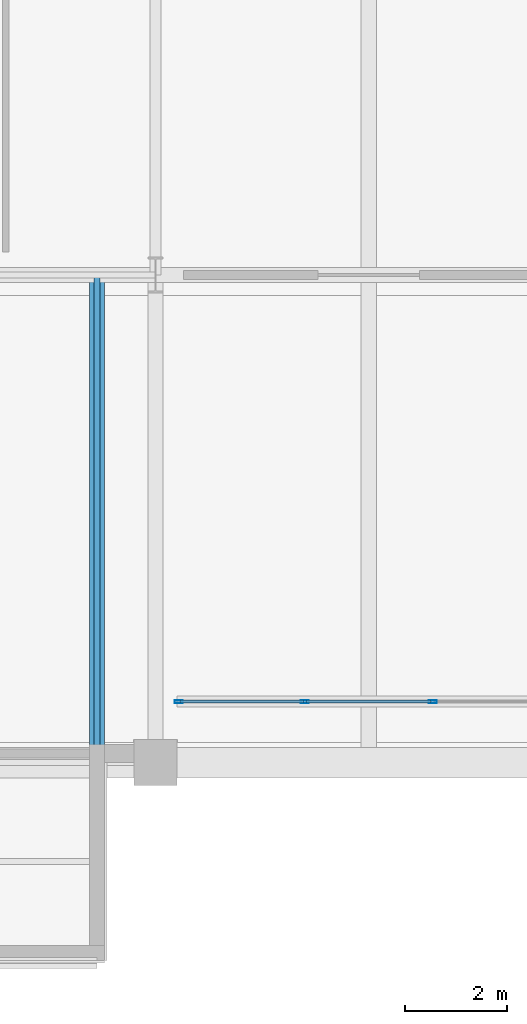
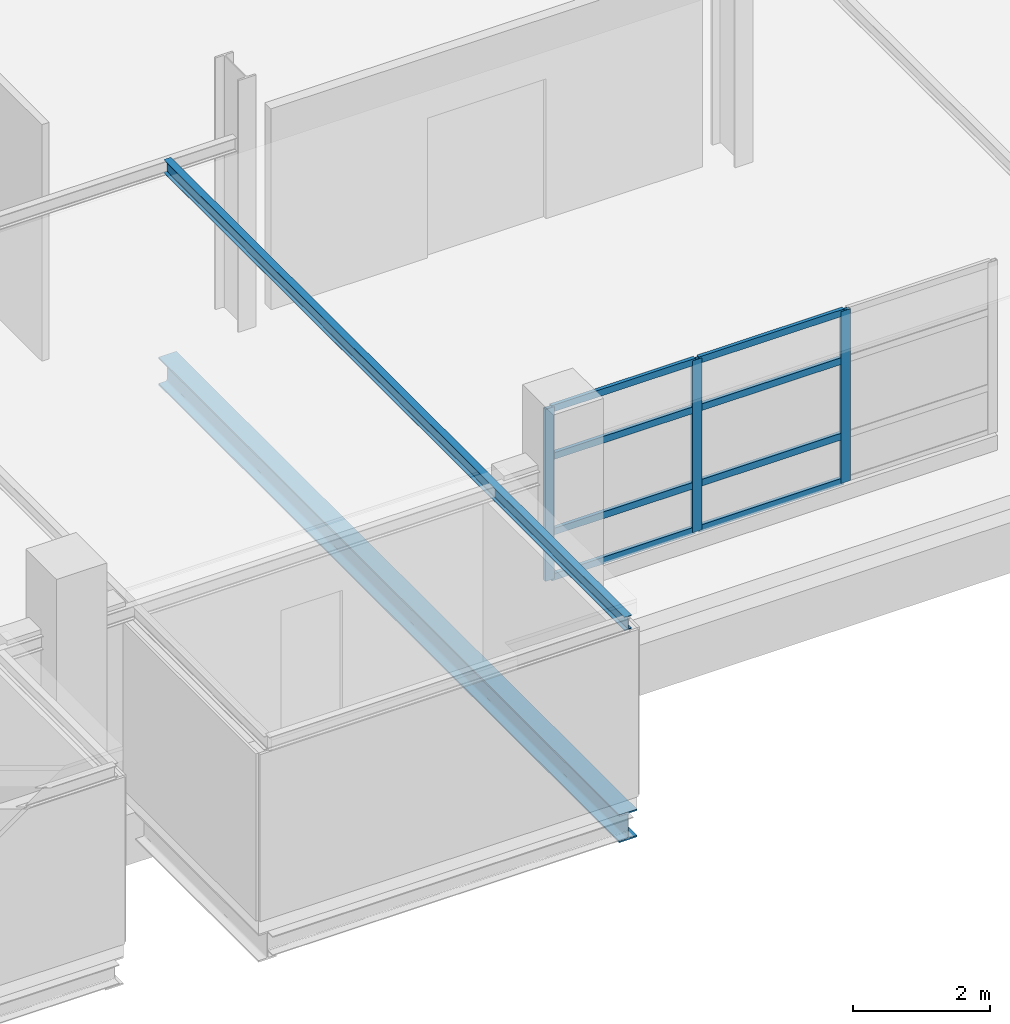
# One storey, part 18 of 113: 11 members, 2 beams, 1 element without a shape of its own.
"""IFC4 building model written with IfcOpenShell, lengths in metres."""

from ifc_helpers import new_model, si_unit, direction, frame, origin, origin_2d, place, context, subcontext, project, spatial, hollow_rectangle, i_section, extrude, material, material_profile, profile_set, type_object, element, aggregate, save


model = new_model("IFC4")

# Units and contexts
model_context = context("Model", 3, precision=1e-05, world=origin(), true_north=direction((0.0, 1.0)))
body_context = subcontext(model_context, "Body", "Model", "MODEL_VIEW")
ifc_project = project(units=[si_unit("LENGTHUNIT", "METRE"), si_unit("AREAUNIT", "SQUARE_METRE"), si_unit("VOLUMEUNIT", "CUBIC_METRE"), si_unit("PLANEANGLEUNIT", "RADIAN"), si_unit("MASSUNIT", "GRAM", prefix="KILO")], contexts=[model_context])

# Site, building, storey
site_placement = place(None, origin())
site = spatial("IfcSite", under=ifc_project, at=site_placement, CompositionType="ELEMENT")
building_placement = place(site_placement, origin())
building = spatial("IfcBuilding", under=site, at=building_placement, Name="Veltarok Museum of Natural Sciences", CompositionType="ELEMENT")
storey_placement = place(building_placement, frame((0.0, 0.0, 8.39990234375)))
storey = spatial("IfcBuildingStorey", under=building, at=storey_placement, Name="L01", CompositionType="ELEMENT", Elevation=8.39990234375)

# Beams
ifc_material_1 = material(Name="Steel S355J2", Category="steel")
ifc_material_profile_1 = material_profile(ifc_material_1, i_section(OverallWidth=0.300048828125, OverallDepth=0.5, WebThickness=0.014404296875, FlangeThickness=0.028076171875, FilletRadius=0.027099609375, at=origin_2d()), Name="HEB 500")
ifc_profile_set_1 = profile_set([ifc_material_profile_1], Name="Steel S355J2")
beam_type_1 = type_object("IfcBeamType", Name="Cabinet Box Cantilever Girder HEB 500", PredefinedType="BEAM", material=ifc_profile_set_1)
beam_1_placement = place(storey_placement, frame((55.64990234375, -3.89990234375, -0.5), z_axis=(0.0, 1.0, 0.0), x_axis=(-1.0, 0.0, 0.0)))
element("IfcBeam", 1, at=beam_1_placement, inside=storey, type_object=beam_type_1, Name="Cabinet Cantilever Girder DB-02-2", PredefinedType="BEAM", context=body_context, shape_type="SweptSolid", body=[
    extrude(i_section(OverallWidth=0.300048828125, OverallDepth=0.5, WebThickness=0.014404296875, FlangeThickness=0.028076171875, FilletRadius=0.027099609375, at=origin_2d()), origin(), (0.0, 0.0, 1.0), 13.5),
])
ifc_material_profile_2 = material_profile(ifc_material_1, i_section(OverallWidth=0.1201171875, OverallDepth=0.239990234375, WebThickness=0.006103515625, FlangeThickness=0.009765625, FilletRadius=0.014892578125, at=origin_2d()), Name="IPE 240")
ifc_profile_set_2 = profile_set([ifc_material_profile_2], Name="Steel S355J2")
beam_type_2 = type_object("IfcBeamType", Name="Cabinet Box Secondary Joist IPE 240", PredefinedType="JOIST", material=ifc_profile_set_2)
beam_2_placement = place(storey_placement, frame((55.64990234375, -3.89990234375, 3.130126953125), z_axis=(0.0, 1.0, 0.0), x_axis=(-1.0, 0.0, 0.0)))
element("IfcBeam", 2, at=beam_2_placement, inside=storey, type_object=beam_type_2, Name="Cabinet Roof Rafter DB-02-2", PredefinedType="JOIST", context=body_context, shape_type="SweptSolid", body=[
    extrude(i_section(OverallWidth=0.1201171875, OverallDepth=0.239990234375, WebThickness=0.006103515625, FlangeThickness=0.009765625, FilletRadius=0.014892578125, at=origin_2d()), origin(), (0.0, 0.0, 1.0), 13.5),
])

# Curtain wall, members
ifc_material_2 = material(Name="Low-iron triple insulated glass", Category="glass")
curtain_wall_type = type_object("IfcCurtainWallType", Name="Curtain Wall System CW-CAB-L01-B-755x307 (V1 Recessed L01 755x307cm)", PredefinedType="NOTDEFINED", material=ifc_material_2)
curtain_wall_placement = place(storey_placement, origin())
curtain_wall = element("IfcCurtainWall", 3, at=curtain_wall_placement, inside=storey, type_object=curtain_wall_type, Name="Curtain Wall CW-CAB-L01-B-755x307 CW-0001", PredefinedType="NOTDEFINED")
ifc_material_3 = material(Name="Thermally broken anodised aluminium", Category="aluminium")
ifc_material_profile_3 = material_profile(ifc_material_3, hollow_rectangle(XDim=0.06005859375, YDim=0.1201171875, WallThickness=0.0048828125, at=origin_2d()), Name="CW TRANSOM 60x120x5")
ifc_profile_set_3 = profile_set([ifc_material_profile_3], Name="Thermally broken anodised aluminium")
member_type_1 = type_object("IfcMemberType", Name="Curtain Wall Horizontal Transom 60x120x5", PredefinedType="USERDEFINED", material=ifc_profile_set_3)
member_1_placement = place(storey_placement, frame((57.284912109375, 1.199951171875, 0.2900390625), z_axis=(1.0, 0.0, 0.0), x_axis=(0.0, 1.0, 0.0)))
member_1 = element("IfcMember", 4, at=member_1_placement, type_object=member_type_1, Name="CW-CAB-L01-B-755x307 transom 1.1", ObjectType="TRANSOM", PredefinedType="USERDEFINED", context=body_context, shape_type="SweptSolid", body=[
    extrude(hollow_rectangle(XDim=0.06005859375, YDim=0.1201171875, WallThickness=0.0048828125, at=origin_2d()), origin(), (0.0, 0.0, 1.0), 2.4267578125),
])
member_2_placement = place(storey_placement, frame((57.284912109375, 1.199951171875, 1.10009765625), z_axis=(1.0, 0.0, 0.0), x_axis=(0.0, 1.0, 0.0)))
member_2 = element("IfcMember", 5, at=member_2_placement, type_object=member_type_1, Name="CW-CAB-L01-B-755x307 transom 1.2", ObjectType="TRANSOM", PredefinedType="USERDEFINED", context=body_context, shape_type="SweptSolid", body=[
    extrude(hollow_rectangle(XDim=0.06005859375, YDim=0.1201171875, WallThickness=0.0048828125, at=origin_2d()), origin(), (0.0, 0.0, 1.0), 2.4267578125),
])
member_3_placement = place(storey_placement, frame((57.284912109375, 1.199951171875, 2.4501953125), z_axis=(1.0, 0.0, 0.0), x_axis=(0.0, 1.0, 0.0)))
member_3 = element("IfcMember", 6, at=member_3_placement, type_object=member_type_1, Name="CW-CAB-L01-B-755x307 transom 1.3", ObjectType="TRANSOM", PredefinedType="USERDEFINED", context=body_context, shape_type="SweptSolid", body=[
    extrude(hollow_rectangle(XDim=0.06005859375, YDim=0.1201171875, WallThickness=0.0048828125, at=origin_2d()), origin(), (0.0, 0.0, 1.0), 2.4267578125),
])
member_4_placement = place(storey_placement, frame((57.284912109375, 1.199951171875, 3.30517578125), z_axis=(1.0, 0.0, 0.0), x_axis=(0.0, 1.0, 0.0)))
member_4 = element("IfcMember", 7, at=member_4_placement, type_object=member_type_1, Name="CW-CAB-L01-B-755x307 transom 1.4", ObjectType="TRANSOM", PredefinedType="USERDEFINED", context=body_context, shape_type="SweptSolid", body=[
    extrude(hollow_rectangle(XDim=0.06005859375, YDim=0.1201171875, WallThickness=0.0048828125, at=origin_2d()), origin(), (0.0, 0.0, 1.0), 2.4267578125),
])
member_5_placement = place(storey_placement, frame((59.771728515625, 1.199951171875, 0.2900390625), z_axis=(1.0, 0.0, 0.0), x_axis=(0.0, 1.0, 0.0)))
member_5 = element("IfcMember", 8, at=member_5_placement, type_object=member_type_1, Name="CW-CAB-L01-B-755x307 transom 2.1", ObjectType="TRANSOM", PredefinedType="USERDEFINED", context=body_context, shape_type="SweptSolid", body=[
    extrude(hollow_rectangle(XDim=0.06005859375, YDim=0.1201171875, WallThickness=0.0048828125, at=origin_2d()), origin(), (0.0, 0.0, 1.0), 2.45654296875),
])
member_6_placement = place(storey_placement, frame((59.771728515625, 1.199951171875, 1.10009765625), z_axis=(1.0, 0.0, 0.0), x_axis=(0.0, 1.0, 0.0)))
member_6 = element("IfcMember", 9, at=member_6_placement, type_object=member_type_1, Name="CW-CAB-L01-B-755x307 transom 2.2", ObjectType="TRANSOM", PredefinedType="USERDEFINED", context=body_context, shape_type="SweptSolid", body=[
    extrude(hollow_rectangle(XDim=0.06005859375, YDim=0.1201171875, WallThickness=0.0048828125, at=origin_2d()), origin(), (0.0, 0.0, 1.0), 2.45654296875),
])
member_7_placement = place(storey_placement, frame((59.771728515625, 1.199951171875, 2.4501953125), z_axis=(1.0, 0.0, 0.0), x_axis=(0.0, 1.0, 0.0)))
member_7 = element("IfcMember", 10, at=member_7_placement, type_object=member_type_1, Name="CW-CAB-L01-B-755x307 transom 2.3", ObjectType="TRANSOM", PredefinedType="USERDEFINED", context=body_context, shape_type="SweptSolid", body=[
    extrude(hollow_rectangle(XDim=0.06005859375, YDim=0.1201171875, WallThickness=0.0048828125, at=origin_2d()), origin(), (0.0, 0.0, 1.0), 2.45654296875),
])
member_8_placement = place(storey_placement, frame((59.771728515625, 1.199951171875, 3.30517578125), z_axis=(1.0, 0.0, 0.0), x_axis=(0.0, 1.0, 0.0)))
member_8 = element("IfcMember", 11, at=member_8_placement, type_object=member_type_1, Name="CW-CAB-L01-B-755x307 transom 2.4", ObjectType="TRANSOM", PredefinedType="USERDEFINED", context=body_context, shape_type="SweptSolid", body=[
    extrude(hollow_rectangle(XDim=0.06005859375, YDim=0.1201171875, WallThickness=0.0048828125, at=origin_2d()), origin(), (0.0, 0.0, 1.0), 2.45654296875),
])
ifc_material_profile_4 = material_profile(ifc_material_3, hollow_rectangle(XDim=0.06005859375, YDim=0.159912109375, WallThickness=0.0048828125, at=origin_2d()), Name="CW MULLION 60x160x5")
ifc_profile_set_4 = profile_set([ifc_material_profile_4], Name="Thermally broken anodised aluminium")
member_type_2 = type_object("IfcMemberType", Name="Curtain Wall Vertical Mullion 60x160x5", PredefinedType="MULLION", material=ifc_profile_set_4)
member_9_placement = place(storey_placement, frame((57.2548828125, 1.199951171875, 0.260009765625), z_axis=(0.0, 0.0, 1.0), x_axis=(0.0, 1.0, 0.0)))
member_9 = element("IfcMember", 12, at=member_9_placement, type_object=member_type_2, Name="CW-CAB-L01-B-755x307 mullion 1", PredefinedType="MULLION", context=body_context, shape_type="SweptSolid", body=[
    extrude(hollow_rectangle(XDim=0.06005859375, YDim=0.159912109375, WallThickness=0.0048828125, at=origin_2d()), origin(), (0.0, 0.0, 1.0), 3.0751953125),
])
member_10_placement = place(storey_placement, frame((59.74169921875, 1.199951171875, 0.260009765625), z_axis=(0.0, 0.0, 1.0), x_axis=(0.0, 1.0, 0.0)))
member_10 = element("IfcMember", 13, at=member_10_placement, type_object=member_type_2, Name="CW-CAB-L01-B-755x307 mullion 2", PredefinedType="MULLION", context=body_context, shape_type="SweptSolid", body=[
    extrude(hollow_rectangle(XDim=0.06005859375, YDim=0.159912109375, WallThickness=0.0048828125, at=origin_2d()), origin(), (0.0, 0.0, 1.0), 3.0751953125),
])
member_11_placement = place(storey_placement, frame((62.25830078125, 1.199951171875, 0.260009765625), z_axis=(0.0, 0.0, 1.0), x_axis=(0.0, 1.0, 0.0)))
member_11 = element("IfcMember", 14, at=member_11_placement, type_object=member_type_2, Name="CW-CAB-L01-B-755x307 mullion 3", PredefinedType="MULLION", context=body_context, shape_type="SweptSolid", body=[
    extrude(hollow_rectangle(XDim=0.06005859375, YDim=0.159912109375, WallThickness=0.0048828125, at=origin_2d()), origin(), (0.0, 0.0, 1.0), 3.0751953125),
])
aggregate(curtain_wall, [member_9, member_10, member_11, member_1, member_2, member_3, member_4, member_5, member_6, member_7, member_8])

save(model, "model.ifc")
